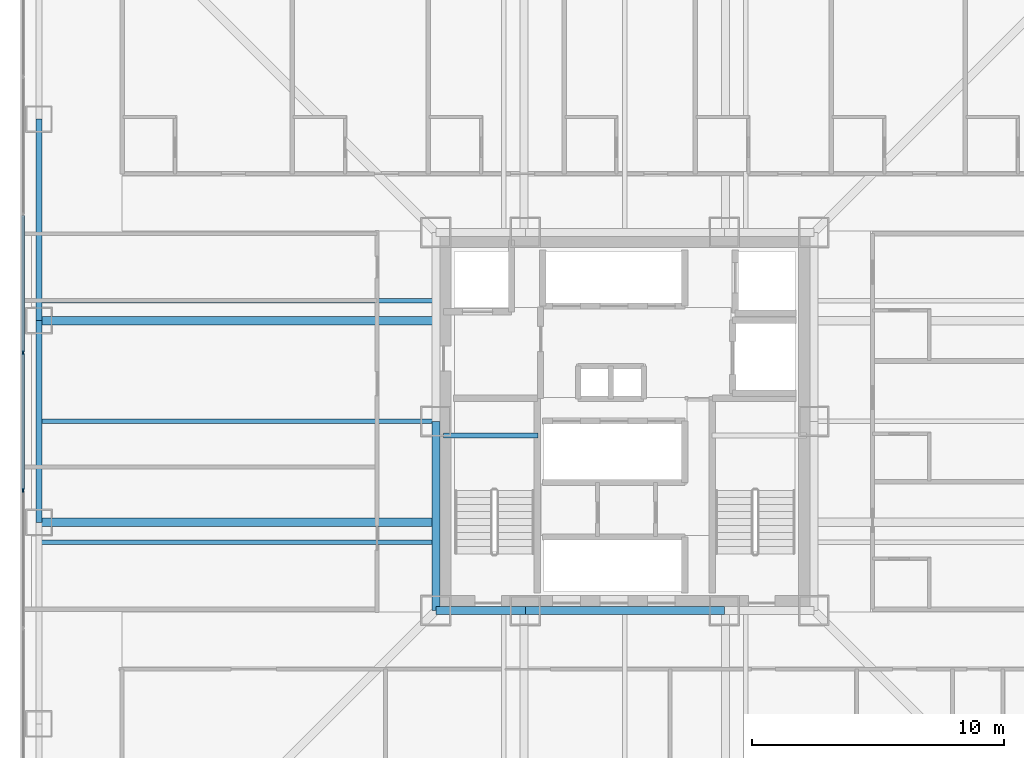
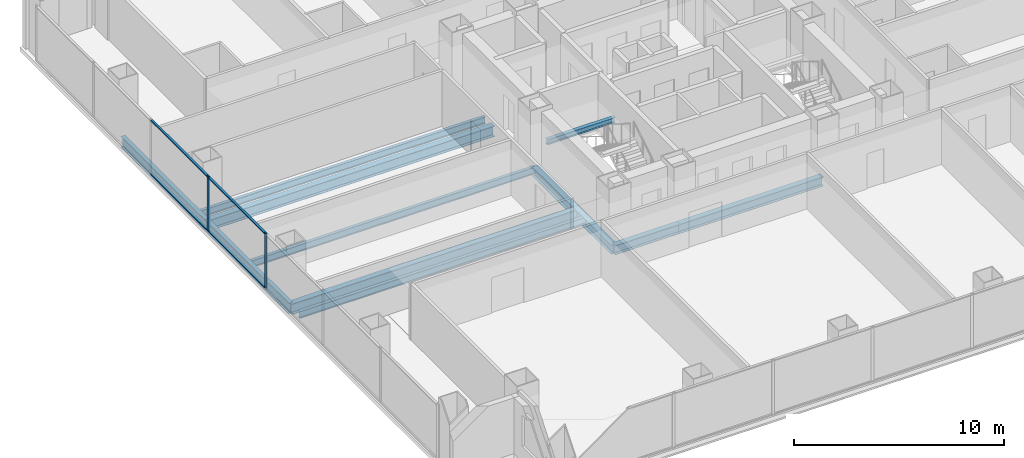
# One storey, part 4 of 16: 11 beams, 6 members, 1 element without a shape of its own.
"""IFC4 building model written with IfcOpenShell, lengths in metres."""

from ifc_helpers import new_model, si_unit, direction, frame, origin, origin_2d, place, context, subcontext, project, spatial, rectangle, i_section, extrude, material, layer, layer_set, material_profile, profile_set, type_object, element, aggregate, save


model = new_model("IFC4")

# Units and contexts
model_context = context("Model", 3, precision=1e-05, world=origin(), true_north=direction((0.0, 1.0)))
body_context = subcontext(model_context, "Body", "Model", "MODEL_VIEW")
ifc_project = project(units=[si_unit("LENGTHUNIT", "METRE"), si_unit("AREAUNIT", "SQUARE_METRE"), si_unit("VOLUMEUNIT", "CUBIC_METRE"), si_unit("PLANEANGLEUNIT", "RADIAN"), si_unit("MASSUNIT", "GRAM", prefix="KILO")], contexts=[model_context])

# Site, building, storey
site_placement = place(None, origin())
site = spatial("IfcSite", under=ifc_project, at=site_placement, CompositionType="ELEMENT")
building_placement = place(site_placement, origin())
building = spatial("IfcBuilding", under=site, at=building_placement, Name="Trevonay Congress Spire", CompositionType="ELEMENT")
storey_placement = place(building_placement, frame((0.0, 0.0, 72.5)))
storey = spatial("IfcBuildingStorey", under=building, at=storey_placement, Name="L18", CompositionType="ELEMENT", Elevation=72.5)

# Beams
ifc_material_1 = material(Name="Steel ASTM A572 Grade 50", Category="steel")
ifc_material_profile_1 = material_profile(ifc_material_1, i_section(OverallWidth=0.31201171875, OverallDepth=0.54296875, WebThickness=0.0126953125, FlangeThickness=0.020263671875, FilletRadius=0.014892578125, at=origin_2d()), Name="W530x150")
ifc_profile_set_1 = profile_set([ifc_material_profile_1], Name="Steel ASTM A572 Grade 50")
beam_type_1 = type_object("IfcBeamType", Name="BM-GIRD-W530X150", PredefinedType="BEAM", material=ifc_profile_set_1)
beam_1_placement = place(storey_placement, frame((-7.5, -7.5, -0.521484375), z_axis=(1.0, 0.0, 0.0), x_axis=(0.0, 1.0, 0.0)))
element("IfcBeam", 1, at=beam_1_placement, inside=storey, type_object=beam_type_1, Name="L18 structural beam BM-L18-CR-S1", PredefinedType="BEAM", context=body_context, shape_type="SweptSolid", body=[
    extrude(i_section(OverallWidth=0.31201171875, OverallDepth=0.54296875, WebThickness=0.0126953125, FlangeThickness=0.020263671875, FilletRadius=0.014892578125, at=origin_2d()), origin(), (0.0, 0.0, 1.0), 3.550048828125),
])
beam_2_placement = place(storey_placement, frame((-3.949951171875, -7.5, -0.521484375), z_axis=(1.0, 0.0, 0.0), x_axis=(0.0, 1.0, 0.0)))
element("IfcBeam", 2, at=beam_2_placement, inside=storey, type_object=beam_type_1, Name="L18 structural beam BM-L18-CR-S2", PredefinedType="BEAM", context=body_context, shape_type="SweptSolid", body=[
    extrude(i_section(OverallWidth=0.31201171875, OverallDepth=0.54296875, WebThickness=0.0126953125, FlangeThickness=0.020263671875, FilletRadius=0.014892578125, at=origin_2d()), origin(), (0.0, 0.0, 1.0), 7.89990234375),
])
beam_3_placement = place(storey_placement, frame((-7.5, -7.5, -0.521484375), z_axis=(0.0, 1.0, 0.0), x_axis=(-1.0, 0.0, 0.0)))
element("IfcBeam", 3, at=beam_3_placement, inside=storey, type_object=beam_type_1, Name="L18 structural beam BM-L18-CR-W1", PredefinedType="BEAM", context=body_context, shape_type="SweptSolid", body=[
    extrude(i_section(OverallWidth=0.31201171875, OverallDepth=0.54296875, WebThickness=0.0126953125, FlangeThickness=0.020263671875, FilletRadius=0.014892578125, at=origin_2d()), origin(), (0.0, 0.0, 1.0), 7.5),
])
ifc_material_profile_2 = material_profile(ifc_material_1, i_section(OverallWidth=0.324951171875, OverallDepth=0.615966796875, WebThickness=0.013916015625, FlangeThickness=0.021484375, FilletRadius=0.01806640625, at=origin_2d()), Name="W610x174")
ifc_profile_set_2 = profile_set([ifc_material_profile_2], Name="Steel ASTM A572 Grade 50")
beam_type_2 = type_object("IfcBeamType", Name="BM-GIRD-W610X174", PredefinedType="BEAM", material=ifc_profile_set_2)
for number, where, z_axis, x_axis, name in (
    (4, (-7.5, -4.0, -0.55810546875), (-1.0, 0.0, 0.0), (0.0, -1.0, 0.0), "L18 structural beam BM-L18-GW-M"),
    (5, (-7.5, 4.0, -0.55810546875), (-1.0, 0.0, 0.0), (0.0, -1.0, 0.0), "L18 structural beam BM-L18-GW-P"),
):
    element("IfcBeam", number, at=place(storey_placement, frame(where, z_axis=z_axis, x_axis=x_axis)), inside=storey, type_object=beam_type_2, Name=name, PredefinedType="BEAM", context=body_context, shape_type="SweptSolid", body=[
        extrude(i_section(OverallWidth=0.324951171875, OverallDepth=0.615966796875, WebThickness=0.013916015625, FlangeThickness=0.021484375, FilletRadius=0.01806640625, at=origin_2d()), origin(), (0.0, 0.0, 1.0), 15.75),
    ])
ifc_material_profile_3 = material_profile(ifc_material_1, i_section(OverallWidth=0.22998046875, OverallDepth=0.616943359375, WebThickness=0.01318359375, FlangeThickness=0.022216796875, FilletRadius=0.01611328125, at=origin_2d()), Name="W610x140")
ifc_profile_set_3 = profile_set([ifc_material_profile_3], Name="Steel ASTM A572 Grade 50")
beam_type_3 = type_object("IfcBeamType", Name="BM-RING-W610X140", PredefinedType="BEAM", material=ifc_profile_set_3)
for number, where, z_axis, x_axis, name in (
    (6, (-23.25, -4.0, -0.55859375), (0.0, 1.0, 0.0), (-1.0, 0.0, 0.0), "L18 structural beam BM-L18-PW3"),
    (7, (-23.25, 4.0, -0.55859375), (0.0, 1.0, 0.0), (-1.0, 0.0, 0.0), "L18 structural beam BM-L18-PW4"),
):
    element("IfcBeam", number, at=place(storey_placement, frame(where, z_axis=z_axis, x_axis=x_axis)), inside=storey, type_object=beam_type_3, Name=name, PredefinedType="BEAM", context=body_context, shape_type="SweptSolid", body=[
        extrude(i_section(OverallWidth=0.22998046875, OverallDepth=0.616943359375, WebThickness=0.01318359375, FlangeThickness=0.022216796875, FilletRadius=0.01611328125, at=origin_2d()), origin(), (0.0, 0.0, 1.0), 8.0),
    ])

# Curtain wall, members
ifc_material_2 = material(Name="Pale Anodised Aluminium EN AW-6063-T6", Category="aluminium")
ifc_layer = layer(ifc_material_2, 0.179931640625, Name="Pale Anodised Aluminium EN AW-6063-T6")
ifc_layer_set = layer_set([ifc_layer], Name="Pale Anodised Aluminium EN AW-6063-T6")
curtain_wall_type = type_object("IfcCurtainWallType", Name="CW-SYS02-HOTEL-PALE-METAL", PredefinedType="NOTDEFINED", material=ifc_layer_set)
curtain_wall_placement = place(storey_placement, origin())
curtain_wall = element("IfcCurtainWall", 8, at=curtain_wall_placement, inside=storey, type_object=curtain_wall_type, Name="L18 W unitised curtain wall", PredefinedType="NOTDEFINED")
ifc_material_profile_4 = material_profile(ifc_material_2, rectangle(XDim=0.06005859375, YDim=0.159912109375, at=origin_2d()), Name="CW-MULLION-160-ALUMINIUM")
ifc_profile_set_4 = profile_set([ifc_material_profile_4], Name="Pale Anodised Aluminium EN AW-6063-T6")
member_type_1 = type_object("IfcMemberType", Name="CW-MULLION-160-ALUMINIUM", PredefinedType="MULLION", material=ifc_profile_set_4)
member_1_placement = place(storey_placement, frame((-23.8798828125, -2.735595703125, 0.0), z_axis=(0.0, 0.0, 1.0), x_axis=(-1.0, 0.0, 0.0)))
member_1 = element("IfcMember", 9, at=member_1_placement, type_object=member_type_1, Name="CW02 mullion 4", PredefinedType="MULLION", context=body_context, shape_type="SweptSolid", body=[
    extrude(rectangle(XDim=0.06005859375, YDim=0.159912109375, at=origin_2d()), origin(), (0.0, 0.0, 1.0), 3.25),
])
member_2_placement = place(storey_placement, frame((-23.8798828125, 2.735595703125, 0.0), z_axis=(0.0, 0.0, 1.0), x_axis=(-1.0, 0.0, 0.0)))
member_2 = element("IfcMember", 10, at=member_2_placement, type_object=member_type_1, Name="CW02 mullion 5", PredefinedType="MULLION", context=body_context, shape_type="SweptSolid", body=[
    extrude(rectangle(XDim=0.06005859375, YDim=0.159912109375, at=origin_2d()), origin(), (0.0, 0.0, 1.0), 3.25),
])
ifc_material_profile_5 = material_profile(ifc_material_2, rectangle(XDim=0.1201171875, YDim=0.06005859375, at=origin_2d()), Name="CW-TRANSOM-120-ALUMINIUM")
ifc_profile_set_5 = profile_set([ifc_material_profile_5], Name="Pale Anodised Aluminium EN AW-6063-T6")
member_type_2 = type_object("IfcMemberType", Name="CW-TRANSOM-120-ALUMINIUM", PredefinedType="USERDEFINED", material=ifc_profile_set_5)
member_3_placement = place(storey_placement, frame((-23.8798828125, -2.705810546875, 0.06005859375), z_axis=(0.0, 1.0, 0.0), x_axis=(-1.0, 0.0, 0.0)))
member_3 = element("IfcMember", 11, at=member_3_placement, type_object=member_type_2, Name="CW02 transom 4.1", ObjectType="TRANSOM", PredefinedType="USERDEFINED", context=body_context, shape_type="SweptSolid", body=[
    extrude(rectangle(XDim=0.1201171875, YDim=0.06005859375, at=origin_2d()), origin(), (0.0, 0.0, 1.0), 5.41162109375),
])
member_4_placement = place(storey_placement, frame((-23.8798828125, -2.705810546875, 3.18994140625), z_axis=(0.0, 1.0, 0.0), x_axis=(-1.0, 0.0, 0.0)))
member_4 = element("IfcMember", 12, at=member_4_placement, type_object=member_type_2, Name="CW02 transom 4.2", ObjectType="TRANSOM", PredefinedType="USERDEFINED", context=body_context, shape_type="SweptSolid", body=[
    extrude(rectangle(XDim=0.1201171875, YDim=0.06005859375, at=origin_2d()), origin(), (0.0, 0.0, 1.0), 5.41162109375),
])
member_5_placement = place(storey_placement, frame((-23.8798828125, 2.765625, 0.06005859375), z_axis=(0.0, 1.0, 0.0), x_axis=(-1.0, 0.0, 0.0)))
member_5 = element("IfcMember", 13, at=member_5_placement, type_object=member_type_2, Name="CW02 transom 5.1", ObjectType="TRANSOM", PredefinedType="USERDEFINED", context=body_context, shape_type="SweptSolid", body=[
    extrude(rectangle(XDim=0.1201171875, YDim=0.06005859375, at=origin_2d()), origin(), (0.0, 0.0, 1.0), 5.41162109375),
])
member_6_placement = place(storey_placement, frame((-23.8798828125, 2.765625, 3.18994140625), z_axis=(0.0, 1.0, 0.0), x_axis=(-1.0, 0.0, 0.0)))
member_6 = element("IfcMember", 14, at=member_6_placement, type_object=member_type_2, Name="CW02 transom 5.2", ObjectType="TRANSOM", PredefinedType="USERDEFINED", context=body_context, shape_type="SweptSolid", body=[
    extrude(rectangle(XDim=0.1201171875, YDim=0.06005859375, at=origin_2d()), origin(), (0.0, 0.0, 1.0), 5.41162109375),
])
aggregate(curtain_wall, [member_1, member_2, member_3, member_4, member_5, member_6])

# Beams
ifc_material_profile_6 = material_profile(ifc_material_1, i_section(OverallWidth=0.177978515625, OverallDepth=0.406982421875, WebThickness=0.0078125, FlangeThickness=0.0126953125, FilletRadius=0.012939453125, at=origin_2d()), Name="W410x60")
ifc_profile_set_6 = profile_set([ifc_material_profile_6], Name="Steel ASTM A572 Grade 50")
beam_type_4 = type_object("IfcBeamType", Name="JS-COMP-W410X60", PredefinedType="JOIST", material=ifc_profile_set_6)
for number, where, z_axis, x_axis, name in (
    (15, (-23.25, -4.800048828125, -0.45361328125), (1.0, 0.0, 0.0), (0.0, 1.0, 0.0), "L18 structural beam JS-L18-EW-W1"),
    (16, (-23.25, 0.0, -0.45361328125), (1.0, 0.0, 0.0), (0.0, 1.0, 0.0), "L18 structural beam JS-L18-EW-W2"),
    (17, (-23.25, 4.800048828125, -0.45361328125), (1.0, 0.0, 0.0), (0.0, 1.0, 0.0), "L18 structural beam JS-L18-EW-W3"),
):
    element("IfcBeam", number, at=place(storey_placement, frame(where, z_axis=z_axis, x_axis=x_axis)), inside=storey, type_object=beam_type_4, Name=name, PredefinedType="JOIST", context=body_context, shape_type="SweptSolid", body=[
        extrude(i_section(OverallWidth=0.177978515625, OverallDepth=0.406982421875, WebThickness=0.0078125, FlangeThickness=0.0126953125, FilletRadius=0.012939453125, at=origin_2d()), origin(), (0.0, 0.0, 1.0), 15.75),
    ])
ifc_material_profile_7 = material_profile(ifc_material_1, i_section(OverallWidth=0.2041015625, OverallDepth=0.305908203125, WebThickness=0.008544921875, FlangeThickness=0.0146484375, FilletRadius=0.010986328125, at=origin_2d()), Name="W310x67")
ifc_profile_set_7 = profile_set([ifc_material_profile_7], Name="Steel ASTM A572 Grade 50")
beam_type_5 = type_object("IfcBeamType", Name="LN-CORE-W310X67", PredefinedType="LINTEL", material=ifc_profile_set_7)
beam_4_placement = place(storey_placement, frame((-7.199951171875, -0.550048828125, 1.39697265625), z_axis=(1.0, 0.0, 0.0), x_axis=(0.0, 1.0, 0.0)))
element("IfcBeam", 18, at=beam_4_placement, inside=storey, type_object=beam_type_5, Name="L18 structural beam BM-L18-HL-ST1", PredefinedType="LINTEL", context=body_context, shape_type="SweptSolid", body=[
    extrude(i_section(OverallWidth=0.2041015625, OverallDepth=0.305908203125, WebThickness=0.008544921875, FlangeThickness=0.0146484375, FilletRadius=0.010986328125, at=origin_2d()), origin(), (0.0, 0.0, 1.0), 3.75),
])

save(model, "model.ifc")
